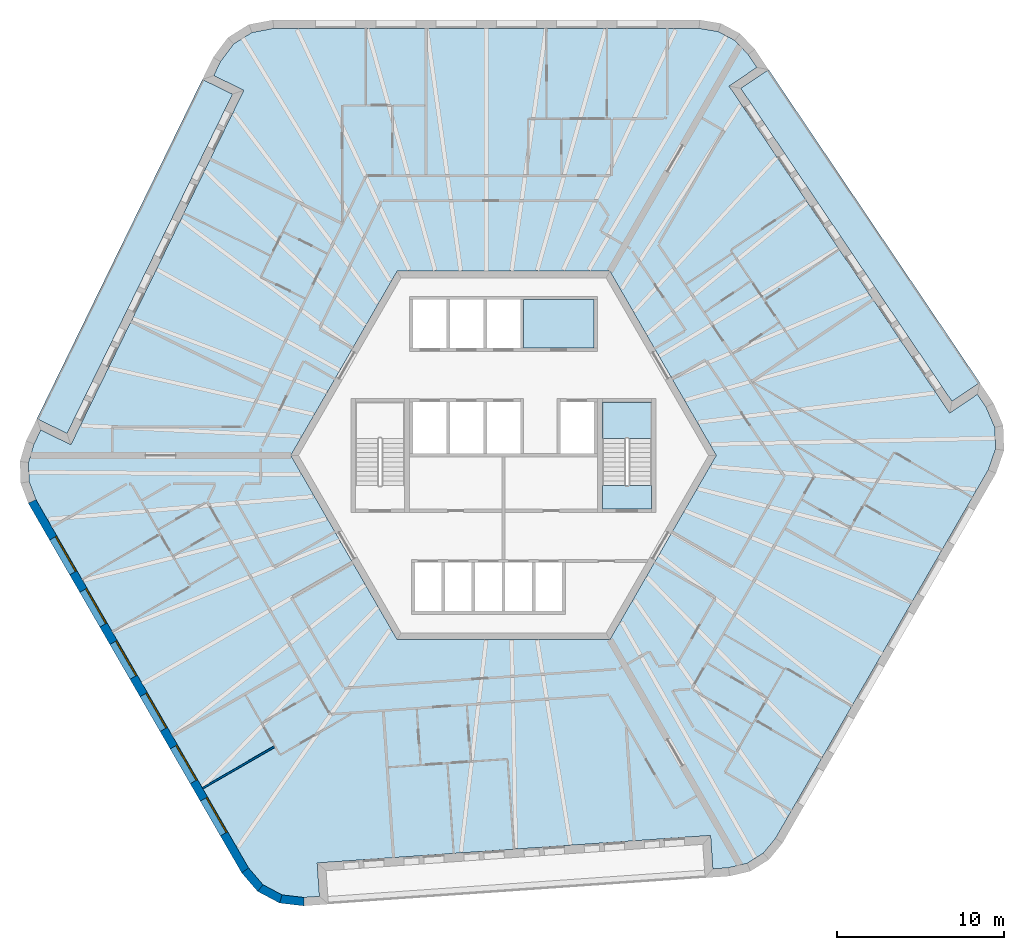
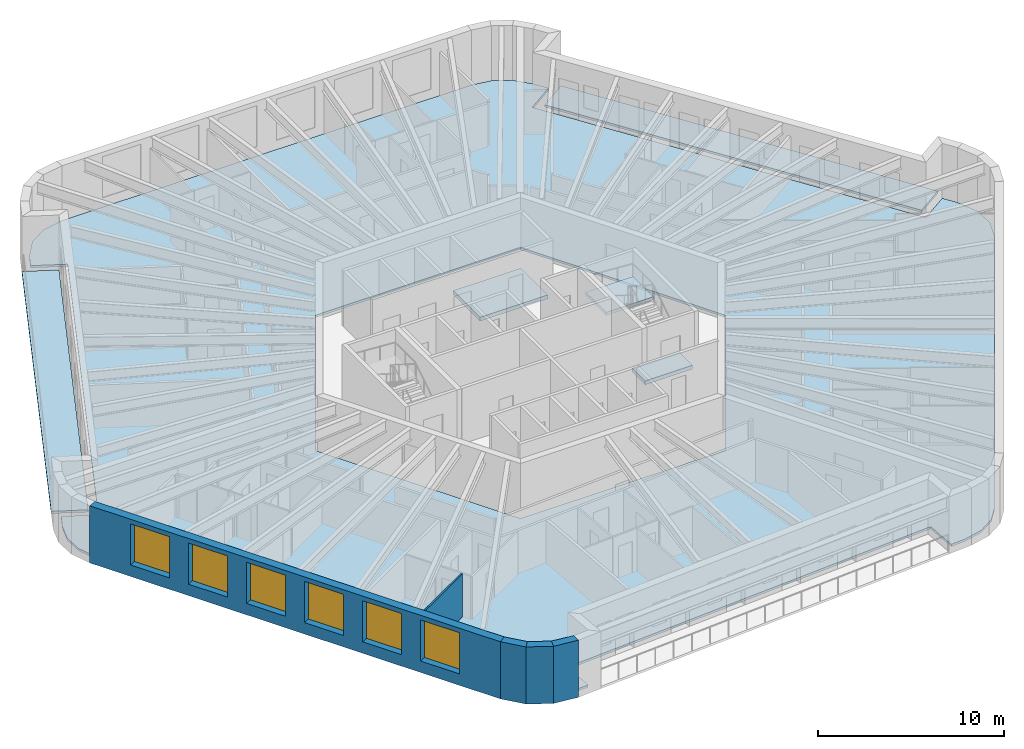
# One storey, part 2 of 12: 6 slabs, 6 windows, 5 walls, 6 openings, 1 element without a shape of its own.
"""IFC4 building model written with IfcOpenShell, lengths in metres."""

import ifcopenshell
import ifcopenshell.guid

model = None  # the IFC model being written
_history = None  # IfcOwnerHistory: only IFC2X3 demands one
_inside = {}  # id of a spatial element -> (the spatial element, [elements in it])
_under = {}  # id of a project, library or spatial element -> (it, [spatial elements below it])
_declared = {}  # id of a project -> (the project, [libraries it declares])
_typed = {}  # id of a type object -> (the type object, [elements of that type])
_made_of = {}  # id of a material, layer set ... -> (it, [elements and type objects made of it])


def new_model(schema):
    """Start an empty IFC model of exactly this schema.

    Asked for "IFC4X3", IfcOpenShell would pick the latest addendum, in which some entities
    have other attributes; the version numbers below select the first issue.
    IFC2X3 requires an IfcOwnerHistory on every rooted entity: one is made here for all.
    """
    global model, _history
    if schema == "IFC4X3":
        model = ifcopenshell.file(schema_version=(4, 3, 0, 0))
    else:
        model = ifcopenshell.file(schema=schema)
    _inside.clear()
    _under.clear()
    _declared.clear()
    _typed.clear()
    _made_of.clear()
    _history = None
    if model.schema == "IFC2X3":
        org = make("IfcOrganization", Name="unknown")
        user = make(
            "IfcPersonAndOrganization",
            ThePerson=make("IfcPerson", FamilyName="unknown"),
            TheOrganization=org,
        )
        app = make(
            "IfcApplication",
            ApplicationDeveloper=org,
            Version="unknown",
            ApplicationFullName="unknown",
            ApplicationIdentifier="unknown",
        )
        _history = make(
            "IfcOwnerHistory",
            OwningUser=user,
            OwningApplication=app,
            ChangeAction="ADDED",
            CreationDate=0,
        )
    return model


def make(cls, **values):
    """One entity of the class cls with the attributes given. An attribute that is None is left unset."""
    return model.create_entity(
        cls, **{name: value for name, value in values.items() if value is not None}
    )


def rooted(cls, **values):
    """An entity with a GlobalId (a new one), such as an element, a storey or a relation."""
    return make(cls, GlobalId=ifcopenshell.guid.new(), OwnerHistory=_history, **values)


def si_unit(unit_type, name, prefix=None):
    """IfcSIUnit, for example si_unit("LENGTHUNIT", "METRE", prefix="MILLI")."""
    return make("IfcSIUnit", UnitType=unit_type, Prefix=prefix, Name=name)


def assignment(units):
    """IfcUnitAssignment: the units of a project."""
    return None if units is None else make("IfcUnitAssignment", Units=units)


def point(xyz):
    """IfcCartesianPoint."""
    return None if xyz is None else make("IfcCartesianPoint", Coordinates=xyz)


def direction(xyz):
    """IfcDirection."""
    return None if xyz is None else make("IfcDirection", DirectionRatios=xyz)


def frame(location, z_axis=None, x_axis=None):
    """IfcAxis2Placement3D, a coordinate frame: its origin and axes. An axis left out is left unset."""
    return make(
        "IfcAxis2Placement3D",
        Location=point(location),
        Axis=direction(z_axis),
        RefDirection=direction(x_axis),
    )


def frame_2d(location, x_axis=None):
    """IfcAxis2Placement2D, a coordinate frame in the plane: its origin and x axis."""
    return make(
        "IfcAxis2Placement2D", Location=point(location), RefDirection=direction(x_axis)
    )


def origin():
    """The frame at (0, 0, 0) with its axes left unset."""
    return frame((0.0, 0.0, 0.0))


def place(relative_to, where):
    """IfcLocalPlacement: puts the frame where relative to a parent placement (None: the world)."""
    return make(
        "IfcLocalPlacement", PlacementRelTo=relative_to, RelativePlacement=where
    )


def context(
    kind, dimensions, precision=None, world=None, true_north=None, identifier=None
):
    """IfcGeometricRepresentationContext, for example the 3D "Model" context."""
    return make(
        "IfcGeometricRepresentationContext",
        ContextIdentifier=identifier,
        ContextType=kind,
        CoordinateSpaceDimension=dimensions,
        Precision=precision,
        WorldCoordinateSystem=world,
        TrueNorth=true_north,
    )


def subcontext(parent, identifier, kind, view, scale=None):
    """IfcGeometricRepresentationSubContext, for example "Body" below "Model"."""
    return make(
        "IfcGeometricRepresentationSubContext",
        ContextIdentifier=identifier,
        ContextType=kind,
        ParentContext=parent,
        TargetScale=scale,
        TargetView=view,
    )


def project(units=None, contexts=None):
    """IfcProject with its units and contexts."""
    return rooted(
        "IfcProject",
        Name="project",
        RepresentationContexts=contexts,
        UnitsInContext=assignment(units),
    )


def spatial(cls, under=None, at=None, **own):
    """A site, building, storey or space (cls), placed at a placement, below another one or the project."""
    s = rooted(cls, ObjectPlacement=at, **own)
    if under is not None:
        _under.setdefault(under.id(), (under, []))[1].append(s)
    return s


def polyline(points):
    """IfcPolyline through the points."""
    return make("IfcPolyline", Points=[point(p) for p in points])


def profile(cls, at=None, kind="AREA", **sizes):
    """A parametric profile (cls). Its sizes go by their IFC names, for example OverallWidth=200.0."""
    return make(cls, ProfileType=kind, Position=at, **sizes)


def rectangle(**sizes):
    """IfcRectangleProfileDef."""
    return profile("IfcRectangleProfileDef", **sizes)


def outline(outer, holes=None, kind="AREA"):
    """IfcArbitraryClosedProfileDef: a profile drawn as a closed curve; with holes, ...WithVoids."""
    if holes is None:
        return make("IfcArbitraryClosedProfileDef", ProfileType=kind, OuterCurve=outer)
    return make(
        "IfcArbitraryProfileDefWithVoids",
        ProfileType=kind,
        OuterCurve=outer,
        InnerCurves=holes,
    )


def extrude(swept, where, along, depth):
    """IfcExtrudedAreaSolid: the profile swept, set in the frame where, extruded along a direction by depth."""
    return make(
        "IfcExtrudedAreaSolid",
        SweptArea=swept,
        Position=where,
        ExtrudedDirection=direction(along),
        Depth=depth,
    )


def shape(context_of_items, identifier, shape_type, items):
    """IfcShapeRepresentation: the items that make up one representation, for example the "Body"."""
    return make(
        "IfcShapeRepresentation",
        ContextOfItems=context_of_items,
        RepresentationIdentifier=identifier,
        RepresentationType=shape_type,
        Items=items,
    )


def material(Name=None, Category=None):
    """IfcMaterial."""
    return make("IfcMaterial", Name=Name, Category=Category)


def layer(
    of_material, thickness, ventilated=None, Name=None, Category=None, Priority=None
):
    """IfcMaterialLayer: one layer of a wall or slab, of a material (None: an air gap)."""
    return make(
        "IfcMaterialLayer",
        Material=of_material,
        LayerThickness=thickness,
        IsVentilated=ventilated,
        Name=Name,
        Category=Category,
        Priority=Priority,
    )


def layer_set(layers, Name=None):
    """IfcMaterialLayerSet."""
    return make("IfcMaterialLayerSet", MaterialLayers=layers, LayerSetName=Name)


def made_of(thing, what):
    """Note that an element or type object is made of a material, layer set ...; save() writes the relation."""
    if what is not None:
        _made_of.setdefault(what.id(), (what, []))[1].append(thing)
    return thing


def type_object(cls, material=None, **own):
    """A type object (cls), such as IfcWallType, which elements share."""
    return made_of(rooted(cls, **own), material)


def element(
    cls,
    number,
    at=None,
    inside=None,
    cuts=None,
    type_object=None,
    material=None,
    context=None,
    identifier="Body",
    shape_type=None,
    held_by="IfcProductDefinitionShape",
    body=None,
    shapes=None,
    **own,
):
    """One element of the class cls, such as IfcWall. Its Tag is "e" and its number.

    at: its placement. inside: the storey or other place that contains it. cuts: it is an
    opening in that element (IfcRelVoidsElement). A single representation is given by context,
    identifier, shape_type and body (its items); several are given by shapes. held_by: the class
    of the entity that holds the representations. save() writes the other relations.
    """
    e = rooted(cls, Tag="e%d" % number, ObjectPlacement=at, **own)
    if body is not None:
        shapes = [shape(context, identifier, shape_type, body)]
    if shapes is not None:
        e.Representation = make(held_by, Representations=shapes)
    if inside is not None:
        _inside.setdefault(inside.id(), (inside, []))[1].append(e)
    if cuts is not None:
        rooted(
            "IfcRelVoidsElement", RelatingBuildingElement=cuts, RelatedOpeningElement=e
        )
    if type_object is not None:
        _typed.setdefault(type_object.id(), (type_object, []))[1].append(e)
    return made_of(e, material)


def fill(opening, filler):
    """IfcRelFillsElement: the door or window that sits in an opening."""
    return rooted(
        "IfcRelFillsElement",
        RelatingOpeningElement=opening,
        RelatedBuildingElement=filler,
    )


def aggregate(whole, parts):
    """IfcRelAggregates: a whole, such as a stair, and the parts it consists of."""
    return rooted("IfcRelAggregates", RelatingObject=whole, RelatedObjects=parts)


def save(model, path):
    """Write the relations noted so far, then the file.

    IfcRelAggregates (storeys below a building ...), IfcRelContainedInSpatialStructure (elements
    in a storey), IfcRelDefinesByType, IfcRelAssociatesMaterial and IfcRelDeclares: one each for
    every whole, place, type object, material and project.
    """
    for whole, parts in _under.values():
        aggregate(whole, parts)
    for where, things in _inside.values():
        rooted(
            "IfcRelContainedInSpatialStructure",
            RelatedElements=things,
            RelatingStructure=where,
        )
    for kind, things in _typed.values():
        rooted("IfcRelDefinesByType", RelatedObjects=things, RelatingType=kind)
    for what, things in _made_of.values():
        rooted("IfcRelAssociatesMaterial", RelatedObjects=things, RelatingMaterial=what)
    for by, libraries in _declared.values():
        rooted("IfcRelDeclares", RelatingContext=by, RelatedDefinitions=libraries)
    model.write(path)


model = new_model("IFC4")

# Units and contexts
model_context = context("Model", 3, precision=1e-05, world=origin(), true_north=direction((0.0, 1.0)))
body_context = subcontext(model_context, "Body", "Model", "MODEL_VIEW")
ifc_project = project(units=[si_unit("LENGTHUNIT", "METRE"), si_unit("AREAUNIT", "SQUARE_METRE"), si_unit("VOLUMEUNIT", "CUBIC_METRE"), si_unit("PLANEANGLEUNIT", "RADIAN"), si_unit("MASSUNIT", "GRAM", prefix="KILO")], contexts=[model_context])

# Site, building, storey
site_placement = place(None, origin())
site = spatial("IfcSite", under=ifc_project, at=site_placement, CompositionType="ELEMENT")
building_placement = place(site_placement, origin())
building = spatial("IfcBuilding", under=site, at=building_placement, Name="Tarnside Tower", CompositionType="ELEMENT")
storey_placement = place(building_placement, frame((0.0, 0.0, 334.199951171875)))
storey = spatial("IfcBuildingStorey", under=building, at=storey_placement, Name="L81", CompositionType="ELEMENT", Elevation=334.199951171875)

# Slabs
ifc_material_1 = material(Name="Concrete C35/45", Category="concrete")
ifc_layer_1 = layer(ifc_material_1, 0.14990234375)
ifc_layer_set_1 = layer_set([ifc_layer_1], Name="Composite floor slab 150")
slab_type_1 = type_object("IfcSlabType", Name="Composite floor slab 150", PredefinedType="FLOOR", material=ifc_layer_set_1)
slab_1_placement = place(storey_placement, frame((0.0, 0.0, -0.14990234375)))
element("IfcSlab", 1, at=slab_1_placement, inside=storey, type_object=slab_type_1, Name="Floor slab L81", PredefinedType="FLOOR", context=body_context, shape_type="SweptSolid", body=[
    extrude(outline(polyline([(12.81689453125, 25.312744140625), (13.818115234375, 24.7802734375), (14.610595703125, 23.940185546875), (15.130615234375, 23.169677734375), (13.472412109375, 22.05126953125), (26.638427734375, 2.53173828125), (28.29638671875, 3.650146484375), (28.814697265625, 2.8818359375), (29.336669921875, 1.671875), (29.3818359375, 0.378662109375), (28.945556640625, -0.864990234375), (16.2451171875, -22.86279296875), (15.51318359375, -23.756103515625), (14.55126953125, -24.35693359375), (13.427490234375, -24.623291015625), (12.500244140625, -24.688232421875), (12.360595703125, -22.693115234375), (-11.126708984375, -24.33544921875), (-10.9873046875, -26.33056640625), (-11.91162109375, -26.395263671875), (-13.220458984375, -26.2421875), (-14.363037109375, -25.634765625), (-15.2216796875, -24.635009765625), (-27.922119140625, -2.63720703125), (-28.329833984375, -1.556640625), (-28.369384765625, -0.42333984375), (-28.0380859375, 0.68310546875), (-27.630615234375, 1.5185546875), (-25.8330078125, 0.641845703125), (-15.51171875, 21.8037109375), (-17.309326171875, 22.680419921875), (-16.903076171875, 23.51318359375), (-16.1162109375, 24.5703125), (-15.018798828125, 25.256103515625), (-13.723876953125, 25.5), (11.67724609375, 25.5), (12.81689453125, 25.312744140625)]), holes=[polyline([(-12.70166015625, 0.0), (-6.350830078125, -11.0), (6.350830078125, -11.0), (12.70166015625, 0.0), (6.350830078125, 11.0), (-6.350830078125, 11.0), (-12.70166015625, 0.0)])]), origin(), (0.0, 0.0, 1.0), 0.14990234375),
])
ifc_material_2 = material(Name="Concrete C40/50", Category="concrete")
ifc_layer_2 = layer(ifc_material_2, 0.25)
ifc_layer_set_2 = layer_set([ifc_layer_2], Name="Core slab C40/50")
slab_type_2 = type_object("IfcSlabType", Name="Core slab C40/50", PredefinedType="FLOOR", material=ifc_layer_set_2)
slab_2_placement = place(storey_placement, frame((0.0, 0.0, -0.25)))
element("IfcSlab", 2, at=slab_2_placement, inside=storey, type_object=slab_type_2, Name="L81 core floor slab 3", PredefinedType="FLOOR", context=body_context, shape_type="SweptSolid", body=[
    extrude(outline(polyline([(5.89990234375, -1.800048828125), (8.85009765625, -1.800048828125), (8.85009765625, -3.199951171875), (5.89990234375, -3.199951171875), (5.89990234375, -1.800048828125)])), origin(), (0.0, 0.0, 1.0), 0.25),
])
slab_3_placement = place(storey_placement, frame((0.0, 0.0, -0.25)))
element("IfcSlab", 3, at=slab_3_placement, inside=storey, type_object=slab_type_2, Name="L81 core floor slab 4", PredefinedType="FLOOR", context=body_context, shape_type="SweptSolid", body=[
    extrude(outline(polyline([(5.39990234375, 6.39990234375), (1.199951171875, 6.39990234375), (1.199951171875, 9.300048828125), (5.39990234375, 9.300048828125), (5.39990234375, 6.39990234375)])), origin(), (0.0, 0.0, 1.0), 0.25),
])
ifc_material_3 = material(Name="Timber decking", Category="wood")
ifc_layer_3 = layer(ifc_material_3, 0.0400390625)
ifc_material_4 = material(Name="Concrete C60/75 precast", Category="concrete")
ifc_layer_4 = layer(ifc_material_4, 0.110107421875)
ifc_layer_set_3 = layer_set([ifc_layer_3, ifc_layer_4], Name="Loggia deck 150")
slab_type_3 = type_object("IfcSlabType", Name="Loggia deck 150", PredefinedType="FLOOR", material=ifc_layer_set_3)
slab_4_placement = place(storey_placement, frame((0.0, 0.0, -0.14990234375)))
element("IfcSlab", 4, at=slab_4_placement, inside=storey, type_object=slab_type_3, Name="Loggia deck L81 F2", PredefinedType="FLOOR", context=body_context, shape_type="SweptSolid", body=[
    extrude(outline(polyline([(-16.180419921875, 21.573486328125), (-26.063232421875, 1.310302734375), (-27.86083984375, 2.187255859375), (-17.97802734375, 22.4501953125), (-16.180419921875, 21.573486328125)])), origin(), (0.0, 0.0, 1.0), 0.14990234375),
])
slab_5_placement = place(storey_placement, frame((0.0, 0.0, -0.14990234375)))
element("IfcSlab", 5, at=slab_5_placement, inside=storey, type_object=slab_type_3, Name="Loggia deck L81 F6", PredefinedType="FLOOR", context=body_context, shape_type="SweptSolid", body=[
    extrude(outline(polyline([(26.7734375, 3.225830078125), (14.16650390625, 21.916259765625), (15.82470703125, 23.03466796875), (28.431396484375, 4.34423828125), (26.7734375, 3.225830078125)])), origin(), (0.0, 0.0, 1.0), 0.14990234375),
])

# Stair, slab
stair_type = type_object("IfcStairType", Name="Exit stair 1400 clear", PredefinedType="HALF_TURN_STAIR", material=ifc_material_2)
stair_placement = place(storey_placement, origin())
stair = element("IfcStair", 6, at=stair_placement, inside=storey, type_object=stair_type, Name="L81 Exit stair 1", PredefinedType="HALF_TURN_STAIR")
ifc_layer_5 = layer(ifc_material_2, 0.199951171875)
ifc_layer_set_4 = layer_set([ifc_layer_5], Name="Stair landing 200 C40/50")
slab_type_4 = type_object("IfcSlabType", Name="Stair landing 200 C40/50", PredefinedType="LANDING", material=ifc_layer_set_4)
slab_6_placement = place(storey_placement, frame((0.0, 0.0, 1.75)))
slab_6 = element("IfcSlab", 7, at=slab_6_placement, type_object=slab_type_4, Name="ST1 landing 1", PredefinedType="LANDING", context=body_context, shape_type="SweptSolid", body=[
    extrude(outline(polyline([(8.85009765625, 1.0), (8.85009765625, 3.199951171875), (5.89990234375, 3.199951171875), (5.89990234375, 1.0), (8.85009765625, 1.0)])), origin(), (0.0, 0.0, 1.0), 0.199951171875),
])
aggregate(stair, [slab_6])

# Wall
ifc_material_5 = material(Name="Gypsum board partition on steel studs", Category="steel")
ifc_layer_6 = layer(ifc_material_5, 0.10009765625)
ifc_layer_set_5 = layer_set([ifc_layer_6], Name="Partition 100")
wall_type_1 = type_object("IfcWallType", Name="Partition 100", PredefinedType="PARTITIONING", material=ifc_layer_set_5)
wall_1_placement = place(storey_placement, frame((-13.684326171875, -17.39794921875, 0.0), z_axis=(0.0, 0.0, 1.0), x_axis=(-0.866040211805, -0.499974350878, 0.0)))
element("IfcWall", 8, at=wall_1_placement, inside=storey, type_object=wall_type_1, Name="Partition wall 26122", PredefinedType="PARTITIONING", context=body_context, shape_type="SweptSolid", body=[
    extrude(rectangle(XDim=4.949951171875, YDim=0.10009765625, at=frame_2d((2.47509765625, 0.0))), origin(), (0.0, 0.0, 1.0), 2.837890625),
])

# Wall, openings, windows
ifc_material_6 = material(Name="Facing brick", Category="masonry")
ifc_layer_7 = layer(ifc_material_6, 0.10205078125)
ifc_layer_8 = layer(ifc_material_4, 0.298095703125)
ifc_material_7 = material(Name="Mineral wool insulation")
ifc_layer_9 = layer(ifc_material_7, 0.10009765625)
ifc_layer_set_6 = layer_set([ifc_layer_7, ifc_layer_8, ifc_layer_9], Name="Tube wall 500 brick faced")
wall_type_2 = type_object("IfcWallType", Name="Tube wall 500 brick faced", PredefinedType="SOLIDWALL", material=ifc_layer_set_6)
wall_2_placement = place(storey_placement, frame((-28.14892578125, -2.74462890625, -0.14990234375), z_axis=(0.0, 0.0, 1.0), x_axis=(0.500003737743, -0.866023245787, 0.0)))
wall_2 = element("IfcWall", 9, at=wall_2_placement, inside=storey, type_object=wall_type_2, Name="Tube wall L81 F3 flush 12", PredefinedType="SOLIDWALL", context=body_context, shape_type="SweptSolid", body=[
    extrude(outline(polyline([(-0.0205078125, -0.25), (25.468017578125, -0.25), (25.421142578125, 0.25), (0.0205078125, 0.25), (-0.0205078125, -0.25)])), origin(), (0.0, 0.0, 1.0), 3.75),
])
opening_1_placement = place(wall_2_placement, frame((2.5224609375, 0.0, 0.75)))
opening_1 = element("IfcOpeningElement", 10, at=opening_1_placement, cuts=wall_2, Name="Opening WR", PredefinedType="OPENING", context=body_context, shape_type="SweptSolid", body=[
    extrude(rectangle(XDim=2.39990234375, YDim=2.699951171875, at=frame_2d((1.199951171875, 1.35009765625))), frame((0.0, 0.260009765625, 0.0), z_axis=(0.0, -1.0, 0.0), x_axis=(1.0, 0.0, 0.0)), (0.0, 0.0, 1.0), 0.52001953125),
])
opening_2_placement = place(wall_2_placement, frame((6.122314453125, 0.0, 0.75)))
opening_2 = element("IfcOpeningElement", 11, at=opening_2_placement, cuts=wall_2, Name="Opening WR", PredefinedType="OPENING", context=body_context, shape_type="SweptSolid", body=[
    extrude(rectangle(XDim=2.39990234375, YDim=2.699951171875, at=frame_2d((1.199951171875, 1.35009765625))), frame((0.0, 0.260009765625, 0.0), z_axis=(0.0, -1.0, 0.0), x_axis=(1.0, 0.0, 0.0)), (0.0, 0.0, 1.0), 0.52001953125),
])
opening_3_placement = place(wall_2_placement, frame((9.722412109375, 0.0, 0.75)))
opening_3 = element("IfcOpeningElement", 12, at=opening_3_placement, cuts=wall_2, Name="Opening WR", PredefinedType="OPENING", context=body_context, shape_type="SweptSolid", body=[
    extrude(rectangle(XDim=2.39990234375, YDim=2.699951171875, at=frame_2d((1.199951171875, 1.35009765625))), frame((0.0, 0.260009765625, 0.0), z_axis=(0.0, -1.0, 0.0), x_axis=(1.0, 0.0, 0.0)), (0.0, 0.0, 1.0), 0.52001953125),
])
opening_4_placement = place(wall_2_placement, frame((13.322509765625, 0.0, 0.75)))
opening_4 = element("IfcOpeningElement", 13, at=opening_4_placement, cuts=wall_2, Name="Opening WR", PredefinedType="OPENING", context=body_context, shape_type="SweptSolid", body=[
    extrude(rectangle(XDim=2.39990234375, YDim=2.699951171875, at=frame_2d((1.199951171875, 1.35009765625))), frame((0.0, 0.260009765625, 0.0), z_axis=(0.0, -1.0, 0.0), x_axis=(1.0, 0.0, 0.0)), (0.0, 0.0, 1.0), 0.52001953125),
])
opening_5_placement = place(wall_2_placement, frame((16.92236328125, 0.0, 0.75)))
opening_5 = element("IfcOpeningElement", 14, at=opening_5_placement, cuts=wall_2, Name="Opening WR", PredefinedType="OPENING", context=body_context, shape_type="SweptSolid", body=[
    extrude(rectangle(XDim=2.39990234375, YDim=2.699951171875, at=frame_2d((1.199951171875, 1.35009765625))), frame((0.0, 0.260009765625, 0.0), z_axis=(0.0, -1.0, 0.0), x_axis=(1.0, 0.0, 0.0)), (0.0, 0.0, 1.0), 0.52001953125),
])
opening_6_placement = place(wall_2_placement, frame((20.5224609375, 0.0, 0.75)))
opening_6 = element("IfcOpeningElement", 15, at=opening_6_placement, cuts=wall_2, Name="Opening WR", PredefinedType="OPENING", context=body_context, shape_type="SweptSolid", body=[
    extrude(rectangle(XDim=2.39990234375, YDim=2.699951171875, at=frame_2d((1.199951171875, 1.35009765625))), frame((0.0, 0.260009765625, 0.0), z_axis=(0.0, -1.0, 0.0), x_axis=(1.0, 0.0, 0.0)), (0.0, 0.0, 1.0), 0.52001953125),
])
ifc_material_8 = material(Name="Aluminium-framed double glazing", Category="aluminium")
window_type = type_object("IfcWindowType", Name="Residence window 2400 x 2700", PartitioningType="DOUBLE_PANEL_VERTICAL", PredefinedType="WINDOW", material=ifc_material_8)
window_1_placement = place(opening_1_placement, frame((0.0, 0.179931640625, 0.0)))
window_1 = element("IfcWindow", 16, at=window_1_placement, inside=storey, type_object=window_type, Name="E.WN.L81.F3.00", OverallHeight=2.699951171875, OverallWidth=2.39990234375, PartitioningType="DOUBLE_PANEL_VERTICAL", PredefinedType="WINDOW", context=body_context, shape_type="SweptSolid", body=[
    extrude(rectangle(XDim=2.39990234375, YDim=2.699951171875, at=frame_2d((1.199951171875, 1.35009765625))), frame((0.0, 0.030029296875, 0.0), z_axis=(0.0, -1.0, 0.0), x_axis=(1.0, 0.0, 0.0)), (0.0, 0.0, 1.0), 0.06005859375),
])
fill(opening_1, window_1)
window_2_placement = place(opening_2_placement, frame((0.0, 0.179931640625, 0.0)))
window_2 = element("IfcWindow", 17, at=window_2_placement, inside=storey, type_object=window_type, Name="E.WN.L81.F3.01", OverallHeight=2.699951171875, OverallWidth=2.39990234375, PartitioningType="DOUBLE_PANEL_VERTICAL", PredefinedType="WINDOW", context=body_context, shape_type="SweptSolid", body=[
    extrude(rectangle(XDim=2.39990234375, YDim=2.699951171875, at=frame_2d((1.199951171875, 1.35009765625))), frame((0.0, 0.030029296875, 0.0), z_axis=(0.0, -1.0, 0.0), x_axis=(1.0, 0.0, 0.0)), (0.0, 0.0, 1.0), 0.06005859375),
])
fill(opening_2, window_2)
window_3_placement = place(opening_3_placement, frame((0.0, 0.179931640625, 0.0)))
window_3 = element("IfcWindow", 18, at=window_3_placement, inside=storey, type_object=window_type, Name="E.WN.L81.F3.02", OverallHeight=2.699951171875, OverallWidth=2.39990234375, PartitioningType="DOUBLE_PANEL_VERTICAL", PredefinedType="WINDOW", context=body_context, shape_type="SweptSolid", body=[
    extrude(rectangle(XDim=2.39990234375, YDim=2.699951171875, at=frame_2d((1.199951171875, 1.35009765625))), frame((0.0, 0.030029296875, 0.0), z_axis=(0.0, -1.0, 0.0), x_axis=(1.0, 0.0, 0.0)), (0.0, 0.0, 1.0), 0.06005859375),
])
fill(opening_3, window_3)
window_4_placement = place(opening_4_placement, frame((0.0, 0.179931640625, 0.0)))
window_4 = element("IfcWindow", 19, at=window_4_placement, inside=storey, type_object=window_type, Name="E.WN.L81.F3.03", OverallHeight=2.699951171875, OverallWidth=2.39990234375, PartitioningType="DOUBLE_PANEL_VERTICAL", PredefinedType="WINDOW", context=body_context, shape_type="SweptSolid", body=[
    extrude(rectangle(XDim=2.39990234375, YDim=2.699951171875, at=frame_2d((1.199951171875, 1.35009765625))), frame((0.0, 0.030029296875, 0.0), z_axis=(0.0, -1.0, 0.0), x_axis=(1.0, 0.0, 0.0)), (0.0, 0.0, 1.0), 0.06005859375),
])
fill(opening_4, window_4)
window_5_placement = place(opening_5_placement, frame((0.0, 0.179931640625, 0.0)))
window_5 = element("IfcWindow", 20, at=window_5_placement, inside=storey, type_object=window_type, Name="E.WN.L81.F3.04", OverallHeight=2.699951171875, OverallWidth=2.39990234375, PartitioningType="DOUBLE_PANEL_VERTICAL", PredefinedType="WINDOW", context=body_context, shape_type="SweptSolid", body=[
    extrude(rectangle(XDim=2.39990234375, YDim=2.699951171875, at=frame_2d((1.199951171875, 1.35009765625))), frame((0.0, 0.030029296875, 0.0), z_axis=(0.0, -1.0, 0.0), x_axis=(1.0, 0.0, 0.0)), (0.0, 0.0, 1.0), 0.06005859375),
])
fill(opening_5, window_5)
window_6_placement = place(opening_6_placement, frame((0.0, 0.179931640625, 0.0)))
window_6 = element("IfcWindow", 21, at=window_6_placement, inside=storey, type_object=window_type, Name="E.WN.L81.F3.05", OverallHeight=2.699951171875, OverallWidth=2.39990234375, PartitioningType="DOUBLE_PANEL_VERTICAL", PredefinedType="WINDOW", context=body_context, shape_type="SweptSolid", body=[
    extrude(rectangle(XDim=2.39990234375, YDim=2.699951171875, at=frame_2d((1.199951171875, 1.35009765625))), frame((0.0, 0.030029296875, 0.0), z_axis=(0.0, -1.0, 0.0), x_axis=(1.0, 0.0, 0.0)), (0.0, 0.0, 1.0), 0.06005859375),
])
fill(opening_6, window_6)

# Walls
wall_3_placement = place(storey_placement, frame((-15.426513671875, -24.7802734375, -0.14990234375), z_axis=(0.0, 0.0, 1.0), x_axis=(0.651616566281, -0.758548515619, 0.0)))
element("IfcWall", 22, at=wall_3_placement, inside=storey, type_object=wall_type_2, Name="Tube wall L81 F3 chord 13", PredefinedType="SOLIDWALL", context=body_context, shape_type="SweptSolid", body=[
    extrude(outline(polyline([(-0.0234375, -0.25), (1.435302734375, -0.25), (1.341064453125, 0.25), (0.0234375, 0.25), (-0.0234375, -0.25)])), origin(), (0.0, 0.0, 1.0), 3.75),
])
wall_4_placement = place(storey_placement, frame((-14.52197265625, -25.833251953125, -0.14990234375), z_axis=(0.0, 0.0, 1.0), x_axis=(0.882926676147, -0.469510899286, 0.0)))
element("IfcWall", 23, at=wall_4_placement, inside=storey, type_object=wall_type_2, Name="Tube wall L81 F3 chord 14", PredefinedType="SOLIDWALL", context=body_context, shape_type="SweptSolid", body=[
    extrude(outline(polyline([(-0.047119140625, -0.25), (1.435546875, -0.25), (1.34130859375, 0.25), (0.047119140625, 0.25), (-0.047119140625, -0.25)])), origin(), (0.0, 0.0, 1.0), 3.75),
])
wall_5_placement = place(storey_placement, frame((-13.296142578125, -26.485107421875, -0.14990234375), z_axis=(0.0, 0.0, 1.0), x_axis=(0.993239161627, -0.116086036245, 0.0)))
element("IfcWall", 24, at=wall_5_placement, inside=storey, type_object=wall_type_2, Name="Tube wall L81 F3 chord 15", PredefinedType="SOLIDWALL", context=body_context, shape_type="SweptSolid", body=[
    extrude(outline(polyline([(-0.047119140625, -0.25), (1.411376953125, -0.25), (1.364501953125, 0.25), (0.047119140625, 0.25), (-0.047119140625, -0.25)])), origin(), (0.0, 0.0, 1.0), 3.75),
])

save(model, "model.ifc")
